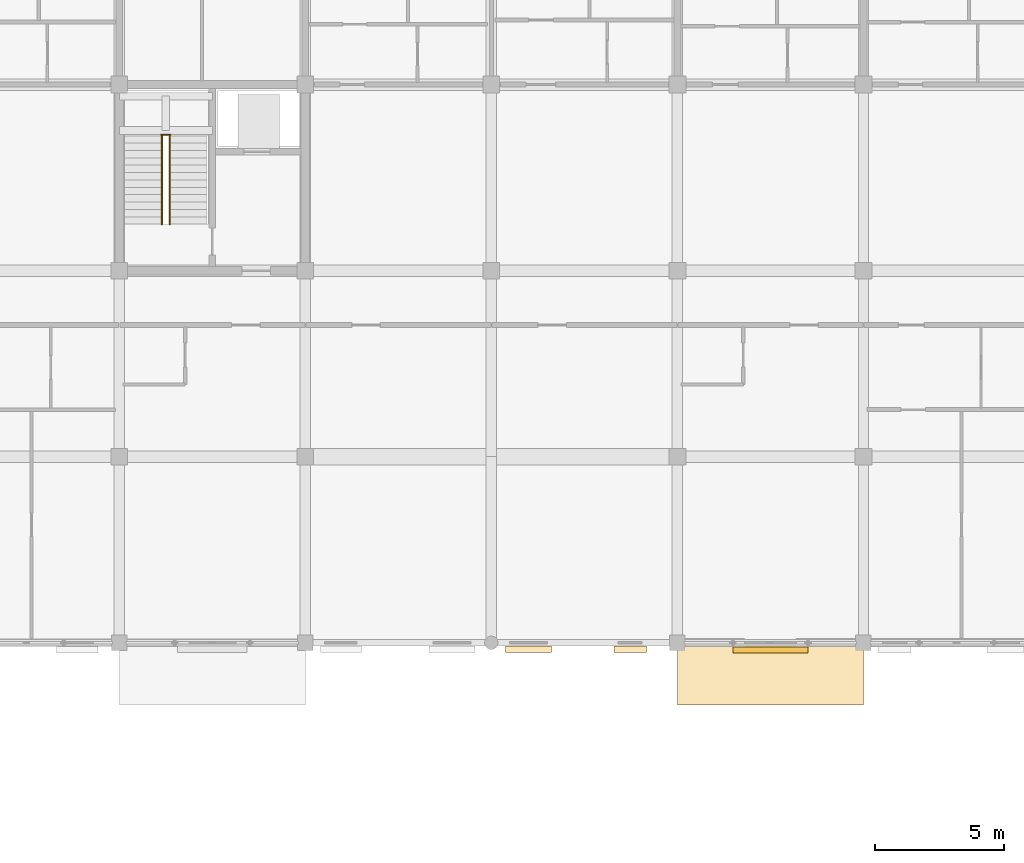
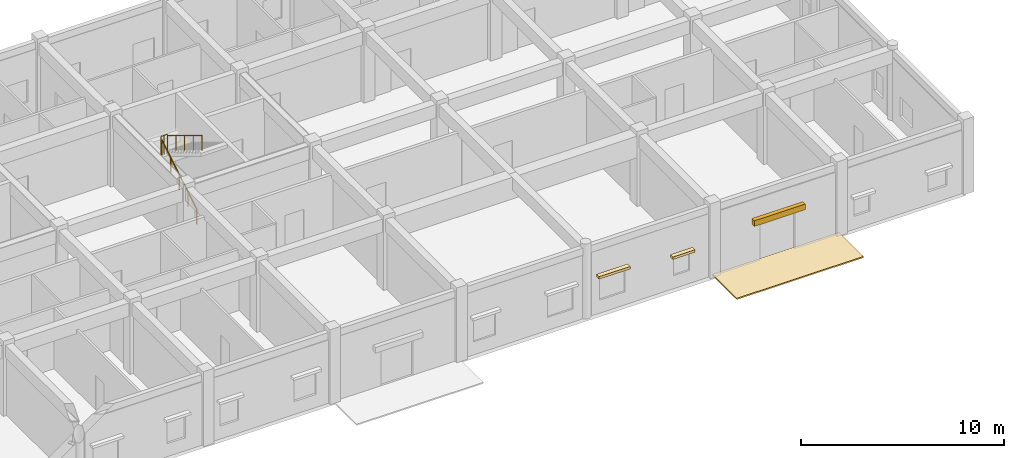
# One storey, part 136 of 138: 4 coverings, 3 railings.
"""IFC4 building model written with IfcOpenShell, lengths in metres."""

from ifc_helpers import new_model, si_unit, direction, frame, origin, origin_2d, place, context, subcontext, project, spatial, polyline, rectangle, circle, outline, extrude, material, layer, layer_set, type_object, element, save


model = new_model("IFC4")

# Units and contexts
model_context = context("Model", 3, precision=1e-05, world=origin(), true_north=direction((0.0, 1.0)))
body_context = subcontext(model_context, "Body", "Model", "MODEL_VIEW")
ifc_project = project(units=[si_unit("LENGTHUNIT", "METRE"), si_unit("AREAUNIT", "SQUARE_METRE"), si_unit("VOLUMEUNIT", "CUBIC_METRE"), si_unit("PLANEANGLEUNIT", "RADIAN"), si_unit("MASSUNIT", "GRAM", prefix="KILO"), si_unit("THERMODYNAMICTEMPERATUREUNIT", "KELVIN"), si_unit("POWERUNIT", "WATT")], contexts=[model_context])

# Site, building, storey
site_placement = place(None, origin())
site = spatial("IfcSite", under=ifc_project, at=site_placement, CompositionType="ELEMENT")
building_placement = place(site_placement, origin())
building = spatial("IfcBuilding", under=site, at=building_placement, Name="Tavuni Mirador Residences", CompositionType="ELEMENT")
storey_placement = place(building_placement, origin())
storey = spatial("IfcBuildingStorey", under=building, at=storey_placement, Name="L00", CompositionType="ELEMENT", Elevation=0.0)

# Coverings
ifc_material_1 = material(Name="Natural coral limestone", Category="masonry")
ifc_layer_1 = layer(ifc_material_1, 0.054931640625, Name="Natural coral limestone", Category="masonry")
ifc_layer_set_1 = layer_set([ifc_layer_1], Name="Natural coral limestone")
covering_type_1 = type_object("IfcCoveringType", Name="CVT-CLAD-CORAL", PredefinedType="CLADDING", material=ifc_layer_set_1)
covering_1_placement = place(storey_placement, frame((55.43505859375, 143.755615234375, 2.2451171875), z_axis=(0.0, 0.0, 1.0), x_axis=(1.0, 0.0, 0.0)))
element("IfcCovering", 1, at=covering_1_placement, inside=storey, type_object=covering_type_1, Name="HOOD-0494", PredefinedType="CLADDING", context=body_context, shape_type="SweptSolid", body=[
    extrude(rectangle(XDim=1.7900390625, YDim=0.25, at=origin_2d()), origin(), (0.0, 0.0, 1.0), 0.14990234375),
])
covering_2_placement = place(storey_placement, frame((59.3701171875, 143.755615234375, 1.955078125), z_axis=(0.0, 0.0, 1.0), x_axis=(1.0, 0.0, 0.0)))
element("IfcCovering", 2, at=covering_2_placement, inside=storey, type_object=covering_type_1, Name="HOOD-0495", PredefinedType="CLADDING", context=body_context, shape_type="SweptSolid", body=[
    extrude(rectangle(XDim=1.260009765625, YDim=0.25, at=origin_2d()), origin(), (0.0, 0.0, 1.0), 0.14990234375),
])
covering_3_placement = place(storey_placement, frame((64.800048828125, 143.718017578125, 2.35009765625), z_axis=(0.0, 0.0, 1.0), x_axis=(1.0, 0.0, 0.0)))
element("IfcCovering", 3, at=covering_3_placement, inside=storey, type_object=covering_type_1, Name="CLAD-BLK-C-S07", PredefinedType="CLADDING", context=body_context, shape_type="SweptSolid", body=[
    extrude(rectangle(XDim=2.89990234375, YDim=0.239990234375, at=origin_2d()), origin(), (0.0, 0.0, 1.0), 0.340087890625),
])
ifc_material_2 = material(Name="Dressed coral-stone paving", Category="masonry")
ifc_layer_2 = layer(ifc_material_2, 0.080078125, Name="Dressed coral-stone paving", Category="masonry")
ifc_layer_set_2 = layer_set([ifc_layer_2], Name="Dressed coral-stone paving")
covering_type_2 = type_object("IfcCoveringType", Name="CVT-PAV-COURT", PredefinedType="USERDEFINED", material=ifc_layer_set_2)
covering_4_placement = place(storey_placement, frame((0.0, 0.0, -0.080078125)))
element("IfcCovering", 4, at=covering_4_placement, inside=storey, type_object=covering_type_2, Name="PAV-APR-BLKC-S3", ObjectType="PAVING", PredefinedType="USERDEFINED", context=body_context, shape_type="SweptSolid", body=[
    extrude(outline(polyline([(61.199951171875, 141.60009765625), (68.39990234375, 141.60009765625), (68.39990234375, 144.0), (61.199951171875, 144.0), (61.199951171875, 141.60009765625)])), origin(), (0.0, 0.0, 1.0), 0.080078125),
])

# Railings
ifc_material_3 = material(Name="Structural steel S355", Category="steel")
railing_type_1 = type_object("IfcRailingType", Name="RT-GR1120", PredefinedType="GUARDRAIL", material=ifc_material_3)
railing_1_placement = place(storey_placement, frame((41.219970703125, 163.659912109375, 2.25)))
element("IfcRailing", 5, at=railing_1_placement, inside=storey, type_object=railing_type_1, Name="GRD-HL-ST6-L00", PredefinedType="GUARDRAIL", context=body_context, shape_type="SweptSolid", body=[
    extrude(circle(Radius=0.02392578125, at=origin_2d()), frame((0.0, 0.0, 1.09619140625), z_axis=(1.0, 0.0, 0.0), x_axis=(0.0, 1.0, 0.0)), (0.0, 0.0, 1.0), 0.360107421875),
    extrude(circle(Radius=0.02099609375, at=origin_2d()), origin(), (0.0, 0.0, 1.0), 1.072021484375),
    extrude(circle(Radius=0.02099609375, at=origin_2d()), frame((0.18017578125, 0.0, 0.0)), (0.0, 0.0, 1.0), 1.072021484375),
    extrude(circle(Radius=0.02099609375, at=origin_2d()), frame((0.360107421875, 0.0, 0.0)), (0.0, 0.0, 1.0), 1.072021484375),
])
railing_type_2 = type_object("IfcRailingType", Name="RT-HR920", PredefinedType="HANDRAIL", material=ifc_material_3)
railing_2_placement = place(storey_placement, frame((41.25, 160.199951171875, 0.173095703125)))
element("IfcRailing", 6, at=railing_2_placement, inside=storey, type_object=railing_type_2, Name="HR-ST6-L00-F1", PredefinedType="HANDRAIL", context=body_context, shape_type="SweptSolid", body=[
    extrude(circle(Radius=0.02392578125, at=origin_2d()), frame((0.0, 0.0, 0.89599609375), z_axis=(0.0, 0.854745945586, 0.519046595696), x_axis=(-1.0, 0.0, 0.0)), (0.0, 0.0, 1.0), 4.00146484375),
    extrude(circle(Radius=0.02099609375, at=origin_2d()), origin(), (0.0, 0.0, 1.0), 0.871826171875),
    extrude(circle(Radius=0.02099609375, at=origin_2d()), frame((0.0, 0.85498046875, 0.519287109375)), (0.0, 0.0, 1.0), 0.871826171875),
    extrude(circle(Radius=0.02099609375, at=origin_2d()), frame((0.0, 1.7099609375, 1.03857421875)), (0.0, 0.0, 1.0), 0.871826171875),
    extrude(circle(Radius=0.02099609375, at=origin_2d()), frame((0.0, 2.565185546875, 1.5576171875)), (0.0, 0.0, 1.0), 0.871826171875),
    extrude(circle(Radius=0.02099609375, at=origin_2d()), frame((0.0, 3.420166015625, 2.076904296875)), (0.0, 0.0, 1.0), 0.871826171875),
])
railing_3_placement = place(storey_placement, frame((41.550048828125, 163.6201171875, 2.423095703125)))
element("IfcRailing", 7, at=railing_3_placement, inside=storey, type_object=railing_type_2, Name="HR-ST6-L00-F2", PredefinedType="HANDRAIL", context=body_context, shape_type="SweptSolid", body=[
    extrude(circle(Radius=0.02392578125, at=origin_2d()), frame((0.0, 0.0, 0.89599609375), z_axis=(0.0, -0.854745945586, 0.519046595696), x_axis=(1.0, 0.0, 0.0)), (0.0, 0.0, 1.0), 4.00146484375),
    extrude(circle(Radius=0.02099609375, at=origin_2d()), origin(), (0.0, 0.0, 1.0), 0.871826171875),
    extrude(circle(Radius=0.02099609375, at=origin_2d()), frame((0.0, -0.85498046875, 0.519287109375)), (0.0, 0.0, 1.0), 0.871826171875),
    extrude(circle(Radius=0.02099609375, at=origin_2d()), frame((0.0, -1.7099609375, 1.03857421875)), (0.0, 0.0, 1.0), 0.871826171875),
    extrude(circle(Radius=0.02099609375, at=origin_2d()), frame((0.0, -2.565185546875, 1.5576171875)), (0.0, 0.0, 1.0), 0.871826171875),
    extrude(circle(Radius=0.02099609375, at=origin_2d()), frame((0.0, -3.420166015625, 2.076904296875)), (0.0, 0.0, 1.0), 0.871826171875),
])

save(model, "model.ifc")
